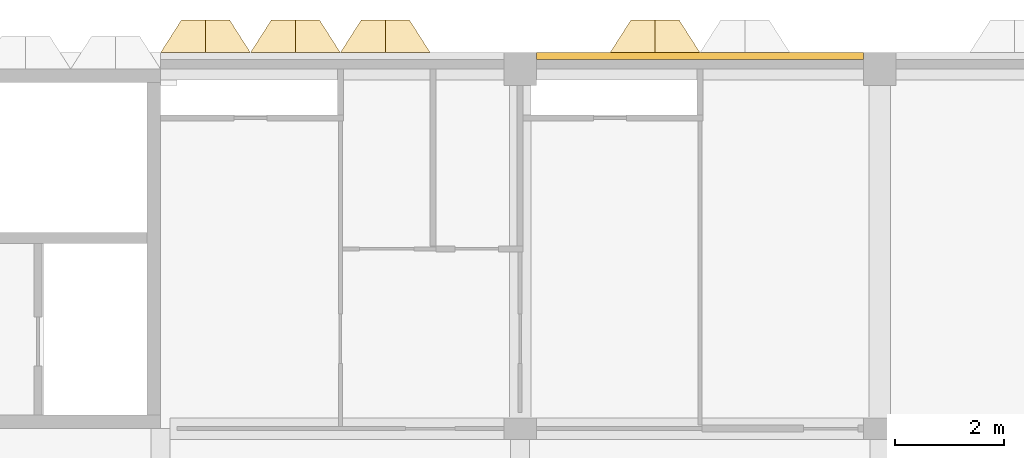
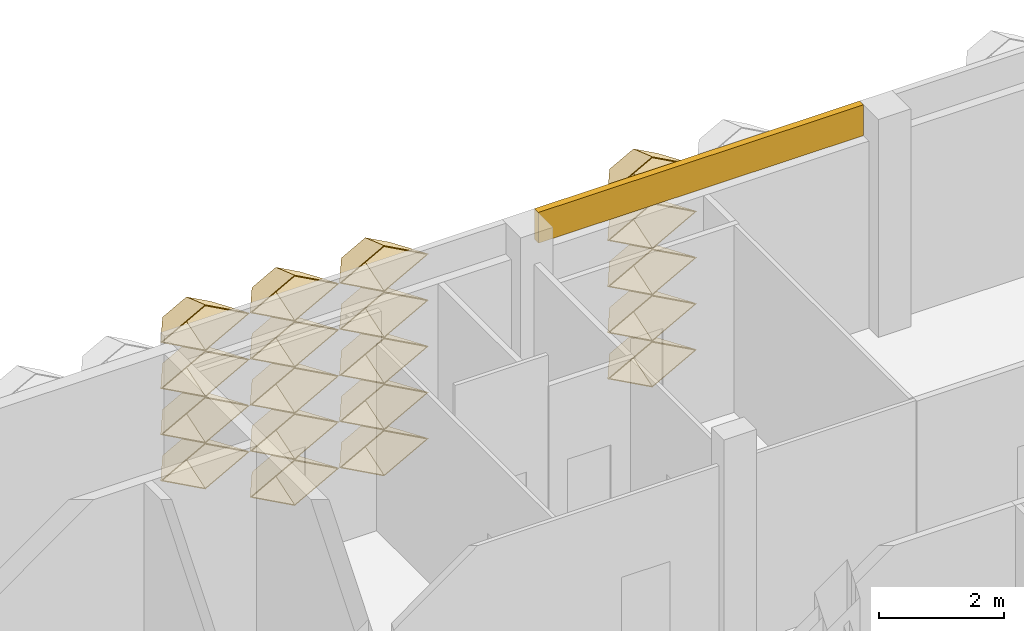
# One storey, part 76 of 85: 20 coverings.
"""IFC4 building model written with IfcOpenShell, lengths in metres."""

import ifcopenshell
import ifcopenshell.guid

model = None  # the IFC model being written
_history = None  # IfcOwnerHistory: only IFC2X3 demands one
_inside = {}  # id of a spatial element -> (the spatial element, [elements in it])
_under = {}  # id of a project, library or spatial element -> (it, [spatial elements below it])
_declared = {}  # id of a project -> (the project, [libraries it declares])
_typed = {}  # id of a type object -> (the type object, [elements of that type])
_made_of = {}  # id of a material, layer set ... -> (it, [elements and type objects made of it])


def new_model(schema):
    """Start an empty IFC model of exactly this schema.

    Asked for "IFC4X3", IfcOpenShell would pick the latest addendum, in which some entities
    have other attributes; the version numbers below select the first issue.
    IFC2X3 requires an IfcOwnerHistory on every rooted entity: one is made here for all.
    """
    global model, _history
    if schema == "IFC4X3":
        model = ifcopenshell.file(schema_version=(4, 3, 0, 0))
    else:
        model = ifcopenshell.file(schema=schema)
    _inside.clear()
    _under.clear()
    _declared.clear()
    _typed.clear()
    _made_of.clear()
    _history = None
    if model.schema == "IFC2X3":
        org = make("IfcOrganization", Name="unknown")
        user = make(
            "IfcPersonAndOrganization",
            ThePerson=make("IfcPerson", FamilyName="unknown"),
            TheOrganization=org,
        )
        app = make(
            "IfcApplication",
            ApplicationDeveloper=org,
            Version="unknown",
            ApplicationFullName="unknown",
            ApplicationIdentifier="unknown",
        )
        _history = make(
            "IfcOwnerHistory",
            OwningUser=user,
            OwningApplication=app,
            ChangeAction="ADDED",
            CreationDate=0,
        )
    return model


def make(cls, **values):
    """One entity of the class cls with the attributes given. An attribute that is None is left unset."""
    return model.create_entity(
        cls, **{name: value for name, value in values.items() if value is not None}
    )


def entity(cls, *values):
    """Any entity or typed value of the class cls, its attributes in the order of the schema. None: left unset."""
    e = model.create_entity(cls)
    for i, value in enumerate(values):
        if value is not None:
            e[i] = value
    return e


def rooted(cls, **values):
    """An entity with a GlobalId (a new one), such as an element, a storey or a relation."""
    return make(cls, GlobalId=ifcopenshell.guid.new(), OwnerHistory=_history, **values)


def si_unit(unit_type, name, prefix=None):
    """IfcSIUnit, for example si_unit("LENGTHUNIT", "METRE", prefix="MILLI")."""
    return make("IfcSIUnit", UnitType=unit_type, Prefix=prefix, Name=name)


def assignment(units):
    """IfcUnitAssignment: the units of a project."""
    return None if units is None else make("IfcUnitAssignment", Units=units)


def point(xyz):
    """IfcCartesianPoint."""
    return None if xyz is None else make("IfcCartesianPoint", Coordinates=xyz)


def direction(xyz):
    """IfcDirection."""
    return None if xyz is None else make("IfcDirection", DirectionRatios=xyz)


def frame(location, z_axis=None, x_axis=None):
    """IfcAxis2Placement3D, a coordinate frame: its origin and axes. An axis left out is left unset."""
    return make(
        "IfcAxis2Placement3D",
        Location=point(location),
        Axis=direction(z_axis),
        RefDirection=direction(x_axis),
    )


def frame_2d(location, x_axis=None):
    """IfcAxis2Placement2D, a coordinate frame in the plane: its origin and x axis."""
    return make(
        "IfcAxis2Placement2D", Location=point(location), RefDirection=direction(x_axis)
    )


def origin():
    """The frame at (0, 0, 0) with its axes left unset."""
    return frame((0.0, 0.0, 0.0))


def place(relative_to, where):
    """IfcLocalPlacement: puts the frame where relative to a parent placement (None: the world)."""
    return make(
        "IfcLocalPlacement", PlacementRelTo=relative_to, RelativePlacement=where
    )


def context(
    kind, dimensions, precision=None, world=None, true_north=None, identifier=None
):
    """IfcGeometricRepresentationContext, for example the 3D "Model" context."""
    return make(
        "IfcGeometricRepresentationContext",
        ContextIdentifier=identifier,
        ContextType=kind,
        CoordinateSpaceDimension=dimensions,
        Precision=precision,
        WorldCoordinateSystem=world,
        TrueNorth=true_north,
    )


def subcontext(parent, identifier, kind, view, scale=None):
    """IfcGeometricRepresentationSubContext, for example "Body" below "Model"."""
    return make(
        "IfcGeometricRepresentationSubContext",
        ContextIdentifier=identifier,
        ContextType=kind,
        ParentContext=parent,
        TargetScale=scale,
        TargetView=view,
    )


def project(units=None, contexts=None):
    """IfcProject with its units and contexts."""
    return rooted(
        "IfcProject",
        Name="project",
        RepresentationContexts=contexts,
        UnitsInContext=assignment(units),
    )


def spatial(cls, under=None, at=None, **own):
    """A site, building, storey or space (cls), placed at a placement, below another one or the project."""
    s = rooted(cls, ObjectPlacement=at, **own)
    if under is not None:
        _under.setdefault(under.id(), (under, []))[1].append(s)
    return s


def profile(cls, at=None, kind="AREA", **sizes):
    """A parametric profile (cls). Its sizes go by their IFC names, for example OverallWidth=200.0."""
    return make(cls, ProfileType=kind, Position=at, **sizes)


def rectangle(**sizes):
    """IfcRectangleProfileDef."""
    return profile("IfcRectangleProfileDef", **sizes)


def extrude(swept, where, along, depth):
    """IfcExtrudedAreaSolid: the profile swept, set in the frame where, extruded along a direction by depth."""
    return make(
        "IfcExtrudedAreaSolid",
        SweptArea=swept,
        Position=where,
        ExtrudedDirection=direction(along),
        Depth=depth,
    )


def shape(context_of_items, identifier, shape_type, items):
    """IfcShapeRepresentation: the items that make up one representation, for example the "Body"."""
    return make(
        "IfcShapeRepresentation",
        ContextOfItems=context_of_items,
        RepresentationIdentifier=identifier,
        RepresentationType=shape_type,
        Items=items,
    )


def material(Name=None, Category=None):
    """IfcMaterial."""
    return make("IfcMaterial", Name=Name, Category=Category)


def layer(
    of_material, thickness, ventilated=None, Name=None, Category=None, Priority=None
):
    """IfcMaterialLayer: one layer of a wall or slab, of a material (None: an air gap)."""
    return make(
        "IfcMaterialLayer",
        Material=of_material,
        LayerThickness=thickness,
        IsVentilated=ventilated,
        Name=Name,
        Category=Category,
        Priority=Priority,
    )


def layer_set(layers, Name=None):
    """IfcMaterialLayerSet."""
    return make("IfcMaterialLayerSet", MaterialLayers=layers, LayerSetName=Name)


def made_of(thing, what):
    """Note that an element or type object is made of a material, layer set ...; save() writes the relation."""
    if what is not None:
        _made_of.setdefault(what.id(), (what, []))[1].append(thing)
    return thing


def type_object(cls, material=None, **own):
    """A type object (cls), such as IfcWallType, which elements share."""
    return made_of(rooted(cls, **own), material)


def element(
    cls,
    number,
    at=None,
    inside=None,
    cuts=None,
    type_object=None,
    material=None,
    context=None,
    identifier="Body",
    shape_type=None,
    held_by="IfcProductDefinitionShape",
    body=None,
    shapes=None,
    **own,
):
    """One element of the class cls, such as IfcWall. Its Tag is "e" and its number.

    at: its placement. inside: the storey or other place that contains it. cuts: it is an
    opening in that element (IfcRelVoidsElement). A single representation is given by context,
    identifier, shape_type and body (its items); several are given by shapes. held_by: the class
    of the entity that holds the representations. save() writes the other relations.
    """
    e = rooted(cls, Tag="e%d" % number, ObjectPlacement=at, **own)
    if body is not None:
        shapes = [shape(context, identifier, shape_type, body)]
    if shapes is not None:
        e.Representation = make(held_by, Representations=shapes)
    if inside is not None:
        _inside.setdefault(inside.id(), (inside, []))[1].append(e)
    if cuts is not None:
        rooted(
            "IfcRelVoidsElement", RelatingBuildingElement=cuts, RelatedOpeningElement=e
        )
    if type_object is not None:
        _typed.setdefault(type_object.id(), (type_object, []))[1].append(e)
    return made_of(e, material)


def aggregate(whole, parts):
    """IfcRelAggregates: a whole, such as a stair, and the parts it consists of."""
    return rooted("IfcRelAggregates", RelatingObject=whole, RelatedObjects=parts)


def save(model, path):
    """Write the relations noted so far, then the file.

    IfcRelAggregates (storeys below a building ...), IfcRelContainedInSpatialStructure (elements
    in a storey), IfcRelDefinesByType, IfcRelAssociatesMaterial and IfcRelDeclares: one each for
    every whole, place, type object, material and project.
    """
    for whole, parts in _under.values():
        aggregate(whole, parts)
    for where, things in _inside.values():
        rooted(
            "IfcRelContainedInSpatialStructure",
            RelatedElements=things,
            RelatingStructure=where,
        )
    for kind, things in _typed.values():
        rooted("IfcRelDefinesByType", RelatedObjects=things, RelatingType=kind)
    for what, things in _made_of.values():
        rooted("IfcRelAssociatesMaterial", RelatedObjects=things, RelatingMaterial=what)
    for by, libraries in _declared.values():
        rooted("IfcRelDeclares", RelatingContext=by, RelatedDefinitions=libraries)
    model.write(path)


model = new_model("IFC4")

# Units and contexts
model_context = context("Model", 3, precision=1e-05, world=origin(), true_north=direction((0.0, 1.0)))
body_context = subcontext(model_context, "Body", "Model", "MODEL_VIEW")
ifc_project = project(units=[si_unit("LENGTHUNIT", "METRE"), si_unit("AREAUNIT", "SQUARE_METRE"), si_unit("VOLUMEUNIT", "CUBIC_METRE"), si_unit("PLANEANGLEUNIT", "RADIAN"), si_unit("MASSUNIT", "GRAM", prefix="KILO")], contexts=[model_context])

# Site, building, storey
site_placement = place(None, origin())
site = spatial("IfcSite", under=ifc_project, at=site_placement, CompositionType="ELEMENT")
building_placement = place(site_placement, origin())
building = spatial("IfcBuilding", under=site, at=building_placement, Name="Lantern Court Research Institute", CompositionType="ELEMENT")
storey_placement = place(building_placement, frame((0.0, 0.0, 18.89990234375)))
storey = spatial("IfcBuildingStorey", under=building, at=storey_placement, Name="L04", CompositionType="ELEMENT", Elevation=18.89990234375)

# Coverings
ifc_material_1 = material(Name="Aluminium composite panel with mineral wool insulation", Category="aluminium")
ifc_layer_1 = layer(ifc_material_1, 0.125)
ifc_layer_set_1 = layer_set([ifc_layer_1], Name="Aluminium composite panel with mineral wool insulation")
covering_type_1 = type_object("IfcCoveringType", Name="Edge fascia panel 125 aluminium faced", PredefinedType="CLADDING", material=ifc_layer_set_1)
covering_1_placement = place(storey_placement, frame((13.5, 99.237548828125, 3.650146484375), z_axis=(0.0, 0.0, 1.0), x_axis=(1.0, 0.0, 0.0)))
element("IfcCovering", 1, at=covering_1_placement, inside=storey, type_object=covering_type_1, Name="Edge fascia V6N L04 02", PredefinedType="CLADDING", context=body_context, shape_type="SweptSolid", body=[
    extrude(rectangle(XDim=6.0, YDim=0.125, at=frame_2d((3.0, 0.0))), origin(), (0.0, 0.0, 1.0), 0.599853515625),
])
ifc_material_2 = material(Name="Anodised aluminium", Category="aluminium")
ifc_layer_2 = layer(ifc_material_2, 0.01611328125)
ifc_layer_set_2 = layer_set([ifc_layer_2], Name="Anodised aluminium")
covering_type_2 = type_object("IfcCoveringType", Name="Fin cassette 1650 x 900 x 600 aluminium", PredefinedType="CLADDING", material=ifc_layer_set_2)
covering_2_placement = place(storey_placement, frame((9.074951171875, 99.300048828125, 0.4501953125), z_axis=(0.0, 1.0, 0.0), x_axis=(-1.0, 0.0, 0.0)))
cartesian_point_1 = entity("IfcCartesianPoint", [0.824951171875, 0.0])
cartesian_point_2 = entity("IfcCartesianPoint", [0.79150390625, 0.0])
cartesian_point_3 = entity("IfcCartesianPoint", [0.44189453125, 0.0])
cartesian_point_4 = entity("IfcCartesianPoint", [0.43359375, 0.0])
element("IfcCovering", 2, at=covering_2_placement, inside=storey, type_object=covering_type_2, Name="Fin cassette V6N-L04 1.6", PredefinedType="CLADDING", context=body_context, shape_type="SweptSolid", body=[
    entity("IfcExtrudedAreaSolidTapered", entity("IfcArbitraryProfileDefWithVoids", "AREA", None, entity("IfcPolyline", [cartesian_point_1, entity("IfcCartesianPoint", [0.0, 0.449951171875]), entity("IfcCartesianPoint", [-0.824951171875, 0.0]), entity("IfcCartesianPoint", [0.0, -0.449951171875]), cartesian_point_1]), [entity("IfcPolyline", [cartesian_point_2, entity("IfcCartesianPoint", [0.0, 0.431884765625]), entity("IfcCartesianPoint", [-0.79150390625, 0.0]), entity("IfcCartesianPoint", [0.0, -0.431884765625]), cartesian_point_2])]), entity("IfcAxis2Placement3D", entity("IfcCartesianPoint", [0.0, 0.0, 0.0])), entity("IfcDirection", [0.0, 0.0, 1.0]), 0.60009765625, entity("IfcArbitraryProfileDefWithVoids", "AREA", None, entity("IfcPolyline", [cartesian_point_3, entity("IfcCartesianPoint", [0.0, 0.240966796875]), entity("IfcCartesianPoint", [-0.44189453125, 0.0]), entity("IfcCartesianPoint", [0.0, -0.240966796875]), cartesian_point_3]), [entity("IfcPolyline", [cartesian_point_4, entity("IfcCartesianPoint", [0.0, 0.236572265625]), entity("IfcCartesianPoint", [-0.43359375, 0.0]), entity("IfcCartesianPoint", [0.0, -0.236572265625]), cartesian_point_4])])),
])
covering_3_placement = place(storey_placement, frame((10.72509765625, 99.300048828125, 0.4501953125), z_axis=(0.0, 1.0, 0.0), x_axis=(-1.0, 0.0, 0.0)))
cartesian_point_5 = entity("IfcCartesianPoint", [0.824951171875, 0.0])
cartesian_point_6 = entity("IfcCartesianPoint", [0.79150390625, 0.0])
cartesian_point_7 = entity("IfcCartesianPoint", [0.44189453125, 0.0])
cartesian_point_8 = entity("IfcCartesianPoint", [0.43359375, 0.0])
element("IfcCovering", 3, at=covering_3_placement, inside=storey, type_object=covering_type_2, Name="Fin cassette V6N-L04 1.7", PredefinedType="CLADDING", context=body_context, shape_type="SweptSolid", body=[
    entity("IfcExtrudedAreaSolidTapered", entity("IfcArbitraryProfileDefWithVoids", "AREA", None, entity("IfcPolyline", [cartesian_point_5, entity("IfcCartesianPoint", [0.0, 0.449951171875]), entity("IfcCartesianPoint", [-0.824951171875, 0.0]), entity("IfcCartesianPoint", [0.0, -0.449951171875]), cartesian_point_5]), [entity("IfcPolyline", [cartesian_point_6, entity("IfcCartesianPoint", [0.0, 0.431884765625]), entity("IfcCartesianPoint", [-0.79150390625, 0.0]), entity("IfcCartesianPoint", [0.0, -0.431884765625]), cartesian_point_6])]), entity("IfcAxis2Placement3D", entity("IfcCartesianPoint", [0.0, 0.0, 0.0])), entity("IfcDirection", [0.0, 0.0, 1.0]), 0.60009765625, entity("IfcArbitraryProfileDefWithVoids", "AREA", None, entity("IfcPolyline", [cartesian_point_7, entity("IfcCartesianPoint", [0.0, 0.240966796875]), entity("IfcCartesianPoint", [-0.44189453125, 0.0]), entity("IfcCartesianPoint", [0.0, -0.240966796875]), cartesian_point_7]), [entity("IfcPolyline", [cartesian_point_8, entity("IfcCartesianPoint", [0.0, 0.236572265625]), entity("IfcCartesianPoint", [-0.43359375, 0.0]), entity("IfcCartesianPoint", [0.0, -0.236572265625]), cartesian_point_8])])),
])
covering_4_placement = place(storey_placement, frame((15.675048828125, 99.300048828125, 0.4501953125), z_axis=(0.0, 1.0, 0.0), x_axis=(-1.0, 0.0, 0.0)))
cartesian_point_9 = entity("IfcCartesianPoint", [0.824951171875, 0.0])
cartesian_point_10 = entity("IfcCartesianPoint", [0.79150390625, 0.0])
cartesian_point_11 = entity("IfcCartesianPoint", [0.44189453125, 0.0])
cartesian_point_12 = entity("IfcCartesianPoint", [0.43359375, 0.0])
element("IfcCovering", 4, at=covering_4_placement, inside=storey, type_object=covering_type_2, Name="Fin cassette V6N-L04 1.10", PredefinedType="CLADDING", context=body_context, shape_type="SweptSolid", body=[
    entity("IfcExtrudedAreaSolidTapered", entity("IfcArbitraryProfileDefWithVoids", "AREA", None, entity("IfcPolyline", [cartesian_point_9, entity("IfcCartesianPoint", [0.0, 0.449951171875]), entity("IfcCartesianPoint", [-0.824951171875, 0.0]), entity("IfcCartesianPoint", [0.0, -0.449951171875]), cartesian_point_9]), [entity("IfcPolyline", [cartesian_point_10, entity("IfcCartesianPoint", [0.0, 0.431884765625]), entity("IfcCartesianPoint", [-0.79150390625, 0.0]), entity("IfcCartesianPoint", [0.0, -0.431884765625]), cartesian_point_10])]), entity("IfcAxis2Placement3D", entity("IfcCartesianPoint", [0.0, 0.0, 0.0])), entity("IfcDirection", [0.0, 0.0, 1.0]), 0.60009765625, entity("IfcArbitraryProfileDefWithVoids", "AREA", None, entity("IfcPolyline", [cartesian_point_11, entity("IfcCartesianPoint", [0.0, 0.240966796875]), entity("IfcCartesianPoint", [-0.44189453125, 0.0]), entity("IfcCartesianPoint", [0.0, -0.240966796875]), cartesian_point_11]), [entity("IfcPolyline", [cartesian_point_12, entity("IfcCartesianPoint", [0.0, 0.236572265625]), entity("IfcCartesianPoint", [-0.43359375, 0.0]), entity("IfcCartesianPoint", [0.0, -0.236572265625]), cartesian_point_12])])),
])
covering_5_placement = place(storey_placement, frame((7.425048828125, 99.300048828125, 1.35009765625), z_axis=(0.0, 1.0, 0.0), x_axis=(-1.0, 0.0, 0.0)))
cartesian_point_13 = entity("IfcCartesianPoint", [0.824951171875, 0.0])
cartesian_point_14 = entity("IfcCartesianPoint", [0.79150390625, 0.0])
cartesian_point_15 = entity("IfcCartesianPoint", [0.44189453125, 0.0])
cartesian_point_16 = entity("IfcCartesianPoint", [0.43359375, 0.0])
element("IfcCovering", 5, at=covering_5_placement, inside=storey, type_object=covering_type_2, Name="Fin cassette V6N-L04 2.5", PredefinedType="CLADDING", context=body_context, shape_type="SweptSolid", body=[
    entity("IfcExtrudedAreaSolidTapered", entity("IfcArbitraryProfileDefWithVoids", "AREA", None, entity("IfcPolyline", [cartesian_point_13, entity("IfcCartesianPoint", [0.0, 0.449951171875]), entity("IfcCartesianPoint", [-0.824951171875, 0.0]), entity("IfcCartesianPoint", [0.0, -0.449951171875]), cartesian_point_13]), [entity("IfcPolyline", [cartesian_point_14, entity("IfcCartesianPoint", [0.0, 0.431884765625]), entity("IfcCartesianPoint", [-0.79150390625, 0.0]), entity("IfcCartesianPoint", [0.0, -0.431884765625]), cartesian_point_14])]), entity("IfcAxis2Placement3D", entity("IfcCartesianPoint", [0.0, 0.0, 0.0])), entity("IfcDirection", [0.0, 0.0, 1.0]), 0.60009765625, entity("IfcArbitraryProfileDefWithVoids", "AREA", None, entity("IfcPolyline", [cartesian_point_15, entity("IfcCartesianPoint", [0.0, 0.240966796875]), entity("IfcCartesianPoint", [-0.44189453125, 0.0]), entity("IfcCartesianPoint", [0.0, -0.240966796875]), cartesian_point_15]), [entity("IfcPolyline", [cartesian_point_16, entity("IfcCartesianPoint", [0.0, 0.236572265625]), entity("IfcCartesianPoint", [-0.43359375, 0.0]), entity("IfcCartesianPoint", [0.0, -0.236572265625]), cartesian_point_16])])),
])
covering_6_placement = place(storey_placement, frame((9.074951171875, 99.300048828125, 1.35009765625), z_axis=(0.0, 1.0, 0.0), x_axis=(-1.0, 0.0, 0.0)))
cartesian_point_17 = entity("IfcCartesianPoint", [0.824951171875, 0.0])
cartesian_point_18 = entity("IfcCartesianPoint", [0.79150390625, 0.0])
cartesian_point_19 = entity("IfcCartesianPoint", [0.44189453125, 0.0])
cartesian_point_20 = entity("IfcCartesianPoint", [0.43359375, 0.0])
element("IfcCovering", 6, at=covering_6_placement, inside=storey, type_object=covering_type_2, Name="Fin cassette V6N-L04 2.6", PredefinedType="CLADDING", context=body_context, shape_type="SweptSolid", body=[
    entity("IfcExtrudedAreaSolidTapered", entity("IfcArbitraryProfileDefWithVoids", "AREA", None, entity("IfcPolyline", [cartesian_point_17, entity("IfcCartesianPoint", [0.0, 0.449951171875]), entity("IfcCartesianPoint", [-0.824951171875, 0.0]), entity("IfcCartesianPoint", [0.0, -0.449951171875]), cartesian_point_17]), [entity("IfcPolyline", [cartesian_point_18, entity("IfcCartesianPoint", [0.0, 0.431884765625]), entity("IfcCartesianPoint", [-0.79150390625, 0.0]), entity("IfcCartesianPoint", [0.0, -0.431884765625]), cartesian_point_18])]), entity("IfcAxis2Placement3D", entity("IfcCartesianPoint", [0.0, 0.0, 0.0])), entity("IfcDirection", [0.0, 0.0, 1.0]), 0.60009765625, entity("IfcArbitraryProfileDefWithVoids", "AREA", None, entity("IfcPolyline", [cartesian_point_19, entity("IfcCartesianPoint", [0.0, 0.240966796875]), entity("IfcCartesianPoint", [-0.44189453125, 0.0]), entity("IfcCartesianPoint", [0.0, -0.240966796875]), cartesian_point_19]), [entity("IfcPolyline", [cartesian_point_20, entity("IfcCartesianPoint", [0.0, 0.236572265625]), entity("IfcCartesianPoint", [-0.43359375, 0.0]), entity("IfcCartesianPoint", [0.0, -0.236572265625]), cartesian_point_20])])),
])
covering_7_placement = place(storey_placement, frame((10.72509765625, 99.300048828125, 1.35009765625), z_axis=(0.0, 1.0, 0.0), x_axis=(-1.0, 0.0, 0.0)))
cartesian_point_21 = entity("IfcCartesianPoint", [0.824951171875, 0.0])
cartesian_point_22 = entity("IfcCartesianPoint", [0.79150390625, 0.0])
cartesian_point_23 = entity("IfcCartesianPoint", [0.44189453125, 0.0])
cartesian_point_24 = entity("IfcCartesianPoint", [0.43359375, 0.0])
element("IfcCovering", 7, at=covering_7_placement, inside=storey, type_object=covering_type_2, Name="Fin cassette V6N-L04 2.7", PredefinedType="CLADDING", context=body_context, shape_type="SweptSolid", body=[
    entity("IfcExtrudedAreaSolidTapered", entity("IfcArbitraryProfileDefWithVoids", "AREA", None, entity("IfcPolyline", [cartesian_point_21, entity("IfcCartesianPoint", [0.0, 0.449951171875]), entity("IfcCartesianPoint", [-0.824951171875, 0.0]), entity("IfcCartesianPoint", [0.0, -0.449951171875]), cartesian_point_21]), [entity("IfcPolyline", [cartesian_point_22, entity("IfcCartesianPoint", [0.0, 0.431884765625]), entity("IfcCartesianPoint", [-0.79150390625, 0.0]), entity("IfcCartesianPoint", [0.0, -0.431884765625]), cartesian_point_22])]), entity("IfcAxis2Placement3D", entity("IfcCartesianPoint", [0.0, 0.0, 0.0])), entity("IfcDirection", [0.0, 0.0, 1.0]), 0.60009765625, entity("IfcArbitraryProfileDefWithVoids", "AREA", None, entity("IfcPolyline", [cartesian_point_23, entity("IfcCartesianPoint", [0.0, 0.240966796875]), entity("IfcCartesianPoint", [-0.44189453125, 0.0]), entity("IfcCartesianPoint", [0.0, -0.240966796875]), cartesian_point_23]), [entity("IfcPolyline", [cartesian_point_24, entity("IfcCartesianPoint", [0.0, 0.236572265625]), entity("IfcCartesianPoint", [-0.43359375, 0.0]), entity("IfcCartesianPoint", [0.0, -0.236572265625]), cartesian_point_24])])),
])
covering_8_placement = place(storey_placement, frame((15.675048828125, 99.300048828125, 1.35009765625), z_axis=(0.0, 1.0, 0.0), x_axis=(-1.0, 0.0, 0.0)))
cartesian_point_25 = entity("IfcCartesianPoint", [0.824951171875, 0.0])
cartesian_point_26 = entity("IfcCartesianPoint", [0.79150390625, 0.0])
cartesian_point_27 = entity("IfcCartesianPoint", [0.44189453125, 0.0])
cartesian_point_28 = entity("IfcCartesianPoint", [0.43359375, 0.0])
element("IfcCovering", 8, at=covering_8_placement, inside=storey, type_object=covering_type_2, Name="Fin cassette V6N-L04 2.10", PredefinedType="CLADDING", context=body_context, shape_type="SweptSolid", body=[
    entity("IfcExtrudedAreaSolidTapered", entity("IfcArbitraryProfileDefWithVoids", "AREA", None, entity("IfcPolyline", [cartesian_point_25, entity("IfcCartesianPoint", [0.0, 0.449951171875]), entity("IfcCartesianPoint", [-0.824951171875, 0.0]), entity("IfcCartesianPoint", [0.0, -0.449951171875]), cartesian_point_25]), [entity("IfcPolyline", [cartesian_point_26, entity("IfcCartesianPoint", [0.0, 0.431884765625]), entity("IfcCartesianPoint", [-0.79150390625, 0.0]), entity("IfcCartesianPoint", [0.0, -0.431884765625]), cartesian_point_26])]), entity("IfcAxis2Placement3D", entity("IfcCartesianPoint", [0.0, 0.0, 0.0])), entity("IfcDirection", [0.0, 0.0, 1.0]), 0.60009765625, entity("IfcArbitraryProfileDefWithVoids", "AREA", None, entity("IfcPolyline", [cartesian_point_27, entity("IfcCartesianPoint", [0.0, 0.240966796875]), entity("IfcCartesianPoint", [-0.44189453125, 0.0]), entity("IfcCartesianPoint", [0.0, -0.240966796875]), cartesian_point_27]), [entity("IfcPolyline", [cartesian_point_28, entity("IfcCartesianPoint", [0.0, 0.236572265625]), entity("IfcCartesianPoint", [-0.43359375, 0.0]), entity("IfcCartesianPoint", [0.0, -0.236572265625]), cartesian_point_28])])),
])
covering_9_placement = place(storey_placement, frame((7.425048828125, 99.300048828125, 2.25), z_axis=(0.0, 1.0, 0.0), x_axis=(-1.0, 0.0, 0.0)))
cartesian_point_29 = entity("IfcCartesianPoint", [0.824951171875, 0.0])
cartesian_point_30 = entity("IfcCartesianPoint", [0.79150390625, 0.0])
cartesian_point_31 = entity("IfcCartesianPoint", [0.44189453125, 0.0])
cartesian_point_32 = entity("IfcCartesianPoint", [0.43359375, 0.0])
element("IfcCovering", 9, at=covering_9_placement, inside=storey, type_object=covering_type_2, Name="Fin cassette V6N-L04 3.5", PredefinedType="CLADDING", context=body_context, shape_type="SweptSolid", body=[
    entity("IfcExtrudedAreaSolidTapered", entity("IfcArbitraryProfileDefWithVoids", "AREA", None, entity("IfcPolyline", [cartesian_point_29, entity("IfcCartesianPoint", [0.0, 0.449951171875]), entity("IfcCartesianPoint", [-0.824951171875, 0.0]), entity("IfcCartesianPoint", [0.0, -0.449951171875]), cartesian_point_29]), [entity("IfcPolyline", [cartesian_point_30, entity("IfcCartesianPoint", [0.0, 0.431884765625]), entity("IfcCartesianPoint", [-0.79150390625, 0.0]), entity("IfcCartesianPoint", [0.0, -0.431884765625]), cartesian_point_30])]), entity("IfcAxis2Placement3D", entity("IfcCartesianPoint", [0.0, 0.0, 0.0])), entity("IfcDirection", [0.0, 0.0, 1.0]), 0.60009765625, entity("IfcArbitraryProfileDefWithVoids", "AREA", None, entity("IfcPolyline", [cartesian_point_31, entity("IfcCartesianPoint", [0.0, 0.240966796875]), entity("IfcCartesianPoint", [-0.44189453125, 0.0]), entity("IfcCartesianPoint", [0.0, -0.240966796875]), cartesian_point_31]), [entity("IfcPolyline", [cartesian_point_32, entity("IfcCartesianPoint", [0.0, 0.236572265625]), entity("IfcCartesianPoint", [-0.43359375, 0.0]), entity("IfcCartesianPoint", [0.0, -0.236572265625]), cartesian_point_32])])),
])
covering_10_placement = place(storey_placement, frame((9.074951171875, 99.300048828125, 2.25), z_axis=(0.0, 1.0, 0.0), x_axis=(-1.0, 0.0, 0.0)))
cartesian_point_33 = entity("IfcCartesianPoint", [0.824951171875, 0.0])
cartesian_point_34 = entity("IfcCartesianPoint", [0.79150390625, 0.0])
cartesian_point_35 = entity("IfcCartesianPoint", [0.44189453125, 0.0])
cartesian_point_36 = entity("IfcCartesianPoint", [0.43359375, 0.0])
element("IfcCovering", 10, at=covering_10_placement, inside=storey, type_object=covering_type_2, Name="Fin cassette V6N-L04 3.6", PredefinedType="CLADDING", context=body_context, shape_type="SweptSolid", body=[
    entity("IfcExtrudedAreaSolidTapered", entity("IfcArbitraryProfileDefWithVoids", "AREA", None, entity("IfcPolyline", [cartesian_point_33, entity("IfcCartesianPoint", [0.0, 0.449951171875]), entity("IfcCartesianPoint", [-0.824951171875, 0.0]), entity("IfcCartesianPoint", [0.0, -0.449951171875]), cartesian_point_33]), [entity("IfcPolyline", [cartesian_point_34, entity("IfcCartesianPoint", [0.0, 0.431884765625]), entity("IfcCartesianPoint", [-0.79150390625, 0.0]), entity("IfcCartesianPoint", [0.0, -0.431884765625]), cartesian_point_34])]), entity("IfcAxis2Placement3D", entity("IfcCartesianPoint", [0.0, 0.0, 0.0])), entity("IfcDirection", [0.0, 0.0, 1.0]), 0.60009765625, entity("IfcArbitraryProfileDefWithVoids", "AREA", None, entity("IfcPolyline", [cartesian_point_35, entity("IfcCartesianPoint", [0.0, 0.240966796875]), entity("IfcCartesianPoint", [-0.44189453125, 0.0]), entity("IfcCartesianPoint", [0.0, -0.240966796875]), cartesian_point_35]), [entity("IfcPolyline", [cartesian_point_36, entity("IfcCartesianPoint", [0.0, 0.236572265625]), entity("IfcCartesianPoint", [-0.43359375, 0.0]), entity("IfcCartesianPoint", [0.0, -0.236572265625]), cartesian_point_36])])),
])
covering_11_placement = place(storey_placement, frame((10.72509765625, 99.300048828125, 2.25), z_axis=(0.0, 1.0, 0.0), x_axis=(-1.0, 0.0, 0.0)))
cartesian_point_37 = entity("IfcCartesianPoint", [0.824951171875, 0.0])
cartesian_point_38 = entity("IfcCartesianPoint", [0.79150390625, 0.0])
cartesian_point_39 = entity("IfcCartesianPoint", [0.44189453125, 0.0])
cartesian_point_40 = entity("IfcCartesianPoint", [0.43359375, 0.0])
element("IfcCovering", 11, at=covering_11_placement, inside=storey, type_object=covering_type_2, Name="Fin cassette V6N-L04 3.7", PredefinedType="CLADDING", context=body_context, shape_type="SweptSolid", body=[
    entity("IfcExtrudedAreaSolidTapered", entity("IfcArbitraryProfileDefWithVoids", "AREA", None, entity("IfcPolyline", [cartesian_point_37, entity("IfcCartesianPoint", [0.0, 0.449951171875]), entity("IfcCartesianPoint", [-0.824951171875, 0.0]), entity("IfcCartesianPoint", [0.0, -0.449951171875]), cartesian_point_37]), [entity("IfcPolyline", [cartesian_point_38, entity("IfcCartesianPoint", [0.0, 0.431884765625]), entity("IfcCartesianPoint", [-0.79150390625, 0.0]), entity("IfcCartesianPoint", [0.0, -0.431884765625]), cartesian_point_38])]), entity("IfcAxis2Placement3D", entity("IfcCartesianPoint", [0.0, 0.0, 0.0])), entity("IfcDirection", [0.0, 0.0, 1.0]), 0.60009765625, entity("IfcArbitraryProfileDefWithVoids", "AREA", None, entity("IfcPolyline", [cartesian_point_39, entity("IfcCartesianPoint", [0.0, 0.240966796875]), entity("IfcCartesianPoint", [-0.44189453125, 0.0]), entity("IfcCartesianPoint", [0.0, -0.240966796875]), cartesian_point_39]), [entity("IfcPolyline", [cartesian_point_40, entity("IfcCartesianPoint", [0.0, 0.236572265625]), entity("IfcCartesianPoint", [-0.43359375, 0.0]), entity("IfcCartesianPoint", [0.0, -0.236572265625]), cartesian_point_40])])),
])
covering_12_placement = place(storey_placement, frame((15.675048828125, 99.300048828125, 2.25), z_axis=(0.0, 1.0, 0.0), x_axis=(-1.0, 0.0, 0.0)))
cartesian_point_41 = entity("IfcCartesianPoint", [0.824951171875, 0.0])
cartesian_point_42 = entity("IfcCartesianPoint", [0.79150390625, 0.0])
cartesian_point_43 = entity("IfcCartesianPoint", [0.44189453125, 0.0])
cartesian_point_44 = entity("IfcCartesianPoint", [0.43359375, 0.0])
element("IfcCovering", 12, at=covering_12_placement, inside=storey, type_object=covering_type_2, Name="Fin cassette V6N-L04 3.10", PredefinedType="CLADDING", context=body_context, shape_type="SweptSolid", body=[
    entity("IfcExtrudedAreaSolidTapered", entity("IfcArbitraryProfileDefWithVoids", "AREA", None, entity("IfcPolyline", [cartesian_point_41, entity("IfcCartesianPoint", [0.0, 0.449951171875]), entity("IfcCartesianPoint", [-0.824951171875, 0.0]), entity("IfcCartesianPoint", [0.0, -0.449951171875]), cartesian_point_41]), [entity("IfcPolyline", [cartesian_point_42, entity("IfcCartesianPoint", [0.0, 0.431884765625]), entity("IfcCartesianPoint", [-0.79150390625, 0.0]), entity("IfcCartesianPoint", [0.0, -0.431884765625]), cartesian_point_42])]), entity("IfcAxis2Placement3D", entity("IfcCartesianPoint", [0.0, 0.0, 0.0])), entity("IfcDirection", [0.0, 0.0, 1.0]), 0.60009765625, entity("IfcArbitraryProfileDefWithVoids", "AREA", None, entity("IfcPolyline", [cartesian_point_43, entity("IfcCartesianPoint", [0.0, 0.240966796875]), entity("IfcCartesianPoint", [-0.44189453125, 0.0]), entity("IfcCartesianPoint", [0.0, -0.240966796875]), cartesian_point_43]), [entity("IfcPolyline", [cartesian_point_44, entity("IfcCartesianPoint", [0.0, 0.236572265625]), entity("IfcCartesianPoint", [-0.43359375, 0.0]), entity("IfcCartesianPoint", [0.0, -0.236572265625]), cartesian_point_44])])),
])
covering_13_placement = place(storey_placement, frame((7.425048828125, 99.300048828125, 3.150146484375), z_axis=(0.0, 1.0, 0.0), x_axis=(-1.0, 0.0, 0.0)))
cartesian_point_45 = entity("IfcCartesianPoint", [0.824951171875, 0.0])
cartesian_point_46 = entity("IfcCartesianPoint", [0.79150390625, 0.0])
cartesian_point_47 = entity("IfcCartesianPoint", [0.44189453125, 0.0])
cartesian_point_48 = entity("IfcCartesianPoint", [0.43359375, 0.0])
element("IfcCovering", 13, at=covering_13_placement, inside=storey, type_object=covering_type_2, Name="Fin cassette V6N-L04 4.5", PredefinedType="CLADDING", context=body_context, shape_type="SweptSolid", body=[
    entity("IfcExtrudedAreaSolidTapered", entity("IfcArbitraryProfileDefWithVoids", "AREA", None, entity("IfcPolyline", [cartesian_point_45, entity("IfcCartesianPoint", [0.0, 0.449951171875]), entity("IfcCartesianPoint", [-0.824951171875, 0.0]), entity("IfcCartesianPoint", [0.0, -0.449951171875]), cartesian_point_45]), [entity("IfcPolyline", [cartesian_point_46, entity("IfcCartesianPoint", [0.0, 0.431884765625]), entity("IfcCartesianPoint", [-0.79150390625, 0.0]), entity("IfcCartesianPoint", [0.0, -0.431884765625]), cartesian_point_46])]), entity("IfcAxis2Placement3D", entity("IfcCartesianPoint", [0.0, 0.0, 0.0])), entity("IfcDirection", [0.0, 0.0, 1.0]), 0.60009765625, entity("IfcArbitraryProfileDefWithVoids", "AREA", None, entity("IfcPolyline", [cartesian_point_47, entity("IfcCartesianPoint", [0.0, 0.240966796875]), entity("IfcCartesianPoint", [-0.44189453125, 0.0]), entity("IfcCartesianPoint", [0.0, -0.240966796875]), cartesian_point_47]), [entity("IfcPolyline", [cartesian_point_48, entity("IfcCartesianPoint", [0.0, 0.236572265625]), entity("IfcCartesianPoint", [-0.43359375, 0.0]), entity("IfcCartesianPoint", [0.0, -0.236572265625]), cartesian_point_48])])),
])
covering_14_placement = place(storey_placement, frame((9.074951171875, 99.300048828125, 3.150146484375), z_axis=(0.0, 1.0, 0.0), x_axis=(-1.0, 0.0, 0.0)))
cartesian_point_49 = entity("IfcCartesianPoint", [0.824951171875, 0.0])
cartesian_point_50 = entity("IfcCartesianPoint", [0.79150390625, 0.0])
cartesian_point_51 = entity("IfcCartesianPoint", [0.44189453125, 0.0])
cartesian_point_52 = entity("IfcCartesianPoint", [0.43359375, 0.0])
element("IfcCovering", 14, at=covering_14_placement, inside=storey, type_object=covering_type_2, Name="Fin cassette V6N-L04 4.6", PredefinedType="CLADDING", context=body_context, shape_type="SweptSolid", body=[
    entity("IfcExtrudedAreaSolidTapered", entity("IfcArbitraryProfileDefWithVoids", "AREA", None, entity("IfcPolyline", [cartesian_point_49, entity("IfcCartesianPoint", [0.0, 0.449951171875]), entity("IfcCartesianPoint", [-0.824951171875, 0.0]), entity("IfcCartesianPoint", [0.0, -0.449951171875]), cartesian_point_49]), [entity("IfcPolyline", [cartesian_point_50, entity("IfcCartesianPoint", [0.0, 0.431884765625]), entity("IfcCartesianPoint", [-0.79150390625, 0.0]), entity("IfcCartesianPoint", [0.0, -0.431884765625]), cartesian_point_50])]), entity("IfcAxis2Placement3D", entity("IfcCartesianPoint", [0.0, 0.0, 0.0])), entity("IfcDirection", [0.0, 0.0, 1.0]), 0.60009765625, entity("IfcArbitraryProfileDefWithVoids", "AREA", None, entity("IfcPolyline", [cartesian_point_51, entity("IfcCartesianPoint", [0.0, 0.240966796875]), entity("IfcCartesianPoint", [-0.44189453125, 0.0]), entity("IfcCartesianPoint", [0.0, -0.240966796875]), cartesian_point_51]), [entity("IfcPolyline", [cartesian_point_52, entity("IfcCartesianPoint", [0.0, 0.236572265625]), entity("IfcCartesianPoint", [-0.43359375, 0.0]), entity("IfcCartesianPoint", [0.0, -0.236572265625]), cartesian_point_52])])),
])
covering_15_placement = place(storey_placement, frame((10.72509765625, 99.300048828125, 3.150146484375), z_axis=(0.0, 1.0, 0.0), x_axis=(-1.0, 0.0, 0.0)))
cartesian_point_53 = entity("IfcCartesianPoint", [0.824951171875, 0.0])
cartesian_point_54 = entity("IfcCartesianPoint", [0.79150390625, 0.0])
cartesian_point_55 = entity("IfcCartesianPoint", [0.44189453125, 0.0])
cartesian_point_56 = entity("IfcCartesianPoint", [0.43359375, 0.0])
element("IfcCovering", 15, at=covering_15_placement, inside=storey, type_object=covering_type_2, Name="Fin cassette V6N-L04 4.7", PredefinedType="CLADDING", context=body_context, shape_type="SweptSolid", body=[
    entity("IfcExtrudedAreaSolidTapered", entity("IfcArbitraryProfileDefWithVoids", "AREA", None, entity("IfcPolyline", [cartesian_point_53, entity("IfcCartesianPoint", [0.0, 0.449951171875]), entity("IfcCartesianPoint", [-0.824951171875, 0.0]), entity("IfcCartesianPoint", [0.0, -0.449951171875]), cartesian_point_53]), [entity("IfcPolyline", [cartesian_point_54, entity("IfcCartesianPoint", [0.0, 0.431884765625]), entity("IfcCartesianPoint", [-0.79150390625, 0.0]), entity("IfcCartesianPoint", [0.0, -0.431884765625]), cartesian_point_54])]), entity("IfcAxis2Placement3D", entity("IfcCartesianPoint", [0.0, 0.0, 0.0])), entity("IfcDirection", [0.0, 0.0, 1.0]), 0.60009765625, entity("IfcArbitraryProfileDefWithVoids", "AREA", None, entity("IfcPolyline", [cartesian_point_55, entity("IfcCartesianPoint", [0.0, 0.240966796875]), entity("IfcCartesianPoint", [-0.44189453125, 0.0]), entity("IfcCartesianPoint", [0.0, -0.240966796875]), cartesian_point_55]), [entity("IfcPolyline", [cartesian_point_56, entity("IfcCartesianPoint", [0.0, 0.236572265625]), entity("IfcCartesianPoint", [-0.43359375, 0.0]), entity("IfcCartesianPoint", [0.0, -0.236572265625]), cartesian_point_56])])),
])
covering_16_placement = place(storey_placement, frame((15.675048828125, 99.300048828125, 3.150146484375), z_axis=(0.0, 1.0, 0.0), x_axis=(-1.0, 0.0, 0.0)))
cartesian_point_57 = entity("IfcCartesianPoint", [0.824951171875, 0.0])
cartesian_point_58 = entity("IfcCartesianPoint", [0.79150390625, 0.0])
cartesian_point_59 = entity("IfcCartesianPoint", [0.44189453125, 0.0])
cartesian_point_60 = entity("IfcCartesianPoint", [0.43359375, 0.0])
element("IfcCovering", 16, at=covering_16_placement, inside=storey, type_object=covering_type_2, Name="Fin cassette V6N-L04 4.10", PredefinedType="CLADDING", context=body_context, shape_type="SweptSolid", body=[
    entity("IfcExtrudedAreaSolidTapered", entity("IfcArbitraryProfileDefWithVoids", "AREA", None, entity("IfcPolyline", [cartesian_point_57, entity("IfcCartesianPoint", [0.0, 0.449951171875]), entity("IfcCartesianPoint", [-0.824951171875, 0.0]), entity("IfcCartesianPoint", [0.0, -0.449951171875]), cartesian_point_57]), [entity("IfcPolyline", [cartesian_point_58, entity("IfcCartesianPoint", [0.0, 0.431884765625]), entity("IfcCartesianPoint", [-0.79150390625, 0.0]), entity("IfcCartesianPoint", [0.0, -0.431884765625]), cartesian_point_58])]), entity("IfcAxis2Placement3D", entity("IfcCartesianPoint", [0.0, 0.0, 0.0])), entity("IfcDirection", [0.0, 0.0, 1.0]), 0.60009765625, entity("IfcArbitraryProfileDefWithVoids", "AREA", None, entity("IfcPolyline", [cartesian_point_59, entity("IfcCartesianPoint", [0.0, 0.240966796875]), entity("IfcCartesianPoint", [-0.44189453125, 0.0]), entity("IfcCartesianPoint", [0.0, -0.240966796875]), cartesian_point_59]), [entity("IfcPolyline", [cartesian_point_60, entity("IfcCartesianPoint", [0.0, 0.236572265625]), entity("IfcCartesianPoint", [-0.43359375, 0.0]), entity("IfcCartesianPoint", [0.0, -0.236572265625]), cartesian_point_60])])),
])
covering_17_placement = place(storey_placement, frame((7.425048828125, 99.300048828125, 4.050048828125), z_axis=(0.0, 1.0, 0.0), x_axis=(-1.0, 0.0, 0.0)))
cartesian_point_61 = entity("IfcCartesianPoint", [0.824951171875, 0.0])
cartesian_point_62 = entity("IfcCartesianPoint", [0.79150390625, 0.0])
cartesian_point_63 = entity("IfcCartesianPoint", [0.44189453125, 0.0])
cartesian_point_64 = entity("IfcCartesianPoint", [0.43359375, 0.0])
element("IfcCovering", 17, at=covering_17_placement, inside=storey, type_object=covering_type_2, Name="Fin cassette V6N-L04 5.5", PredefinedType="CLADDING", context=body_context, shape_type="SweptSolid", body=[
    entity("IfcExtrudedAreaSolidTapered", entity("IfcArbitraryProfileDefWithVoids", "AREA", None, entity("IfcPolyline", [cartesian_point_61, entity("IfcCartesianPoint", [0.0, 0.449951171875]), entity("IfcCartesianPoint", [-0.824951171875, 0.0]), entity("IfcCartesianPoint", [0.0, -0.449951171875]), cartesian_point_61]), [entity("IfcPolyline", [cartesian_point_62, entity("IfcCartesianPoint", [0.0, 0.431884765625]), entity("IfcCartesianPoint", [-0.79150390625, 0.0]), entity("IfcCartesianPoint", [0.0, -0.431884765625]), cartesian_point_62])]), entity("IfcAxis2Placement3D", entity("IfcCartesianPoint", [0.0, 0.0, 0.0])), entity("IfcDirection", [0.0, 0.0, 1.0]), 0.60009765625, entity("IfcArbitraryProfileDefWithVoids", "AREA", None, entity("IfcPolyline", [cartesian_point_63, entity("IfcCartesianPoint", [0.0, 0.240966796875]), entity("IfcCartesianPoint", [-0.44189453125, 0.0]), entity("IfcCartesianPoint", [0.0, -0.240966796875]), cartesian_point_63]), [entity("IfcPolyline", [cartesian_point_64, entity("IfcCartesianPoint", [0.0, 0.236572265625]), entity("IfcCartesianPoint", [-0.43359375, 0.0]), entity("IfcCartesianPoint", [0.0, -0.236572265625]), cartesian_point_64])])),
])
covering_18_placement = place(storey_placement, frame((9.074951171875, 99.300048828125, 4.050048828125), z_axis=(0.0, 1.0, 0.0), x_axis=(-1.0, 0.0, 0.0)))
cartesian_point_65 = entity("IfcCartesianPoint", [0.824951171875, 0.0])
cartesian_point_66 = entity("IfcCartesianPoint", [0.79150390625, 0.0])
cartesian_point_67 = entity("IfcCartesianPoint", [0.44189453125, 0.0])
cartesian_point_68 = entity("IfcCartesianPoint", [0.43359375, 0.0])
element("IfcCovering", 18, at=covering_18_placement, inside=storey, type_object=covering_type_2, Name="Fin cassette V6N-L04 5.6", PredefinedType="CLADDING", context=body_context, shape_type="SweptSolid", body=[
    entity("IfcExtrudedAreaSolidTapered", entity("IfcArbitraryProfileDefWithVoids", "AREA", None, entity("IfcPolyline", [cartesian_point_65, entity("IfcCartesianPoint", [0.0, 0.449951171875]), entity("IfcCartesianPoint", [-0.824951171875, 0.0]), entity("IfcCartesianPoint", [0.0, -0.449951171875]), cartesian_point_65]), [entity("IfcPolyline", [cartesian_point_66, entity("IfcCartesianPoint", [0.0, 0.431884765625]), entity("IfcCartesianPoint", [-0.79150390625, 0.0]), entity("IfcCartesianPoint", [0.0, -0.431884765625]), cartesian_point_66])]), entity("IfcAxis2Placement3D", entity("IfcCartesianPoint", [0.0, 0.0, 0.0])), entity("IfcDirection", [0.0, 0.0, 1.0]), 0.60009765625, entity("IfcArbitraryProfileDefWithVoids", "AREA", None, entity("IfcPolyline", [cartesian_point_67, entity("IfcCartesianPoint", [0.0, 0.240966796875]), entity("IfcCartesianPoint", [-0.44189453125, 0.0]), entity("IfcCartesianPoint", [0.0, -0.240966796875]), cartesian_point_67]), [entity("IfcPolyline", [cartesian_point_68, entity("IfcCartesianPoint", [0.0, 0.236572265625]), entity("IfcCartesianPoint", [-0.43359375, 0.0]), entity("IfcCartesianPoint", [0.0, -0.236572265625]), cartesian_point_68])])),
])
covering_19_placement = place(storey_placement, frame((10.72509765625, 99.300048828125, 4.050048828125), z_axis=(0.0, 1.0, 0.0), x_axis=(-1.0, 0.0, 0.0)))
cartesian_point_69 = entity("IfcCartesianPoint", [0.824951171875, 0.0])
cartesian_point_70 = entity("IfcCartesianPoint", [0.79150390625, 0.0])
cartesian_point_71 = entity("IfcCartesianPoint", [0.44189453125, 0.0])
cartesian_point_72 = entity("IfcCartesianPoint", [0.43359375, 0.0])
element("IfcCovering", 19, at=covering_19_placement, inside=storey, type_object=covering_type_2, Name="Fin cassette V6N-L04 5.7", PredefinedType="CLADDING", context=body_context, shape_type="SweptSolid", body=[
    entity("IfcExtrudedAreaSolidTapered", entity("IfcArbitraryProfileDefWithVoids", "AREA", None, entity("IfcPolyline", [cartesian_point_69, entity("IfcCartesianPoint", [0.0, 0.449951171875]), entity("IfcCartesianPoint", [-0.824951171875, 0.0]), entity("IfcCartesianPoint", [0.0, -0.449951171875]), cartesian_point_69]), [entity("IfcPolyline", [cartesian_point_70, entity("IfcCartesianPoint", [0.0, 0.431884765625]), entity("IfcCartesianPoint", [-0.79150390625, 0.0]), entity("IfcCartesianPoint", [0.0, -0.431884765625]), cartesian_point_70])]), entity("IfcAxis2Placement3D", entity("IfcCartesianPoint", [0.0, 0.0, 0.0])), entity("IfcDirection", [0.0, 0.0, 1.0]), 0.60009765625, entity("IfcArbitraryProfileDefWithVoids", "AREA", None, entity("IfcPolyline", [cartesian_point_71, entity("IfcCartesianPoint", [0.0, 0.240966796875]), entity("IfcCartesianPoint", [-0.44189453125, 0.0]), entity("IfcCartesianPoint", [0.0, -0.240966796875]), cartesian_point_71]), [entity("IfcPolyline", [cartesian_point_72, entity("IfcCartesianPoint", [0.0, 0.236572265625]), entity("IfcCartesianPoint", [-0.43359375, 0.0]), entity("IfcCartesianPoint", [0.0, -0.236572265625]), cartesian_point_72])])),
])
covering_20_placement = place(storey_placement, frame((15.675048828125, 99.300048828125, 4.050048828125), z_axis=(0.0, 1.0, 0.0), x_axis=(-1.0, 0.0, 0.0)))
cartesian_point_73 = entity("IfcCartesianPoint", [0.824951171875, 0.0])
cartesian_point_74 = entity("IfcCartesianPoint", [0.79150390625, 0.0])
cartesian_point_75 = entity("IfcCartesianPoint", [0.44189453125, 0.0])
cartesian_point_76 = entity("IfcCartesianPoint", [0.43359375, 0.0])
element("IfcCovering", 20, at=covering_20_placement, inside=storey, type_object=covering_type_2, Name="Fin cassette V6N-L04 5.10", PredefinedType="CLADDING", context=body_context, shape_type="SweptSolid", body=[
    entity("IfcExtrudedAreaSolidTapered", entity("IfcArbitraryProfileDefWithVoids", "AREA", None, entity("IfcPolyline", [cartesian_point_73, entity("IfcCartesianPoint", [0.0, 0.449951171875]), entity("IfcCartesianPoint", [-0.824951171875, 0.0]), entity("IfcCartesianPoint", [0.0, -0.449951171875]), cartesian_point_73]), [entity("IfcPolyline", [cartesian_point_74, entity("IfcCartesianPoint", [0.0, 0.431884765625]), entity("IfcCartesianPoint", [-0.79150390625, 0.0]), entity("IfcCartesianPoint", [0.0, -0.431884765625]), cartesian_point_74])]), entity("IfcAxis2Placement3D", entity("IfcCartesianPoint", [0.0, 0.0, 0.0])), entity("IfcDirection", [0.0, 0.0, 1.0]), 0.60009765625, entity("IfcArbitraryProfileDefWithVoids", "AREA", None, entity("IfcPolyline", [cartesian_point_75, entity("IfcCartesianPoint", [0.0, 0.240966796875]), entity("IfcCartesianPoint", [-0.44189453125, 0.0]), entity("IfcCartesianPoint", [0.0, -0.240966796875]), cartesian_point_75]), [entity("IfcPolyline", [cartesian_point_76, entity("IfcCartesianPoint", [0.0, 0.236572265625]), entity("IfcCartesianPoint", [-0.43359375, 0.0]), entity("IfcCartesianPoint", [0.0, -0.236572265625]), cartesian_point_76])])),
])

save(model, "model.ifc")
